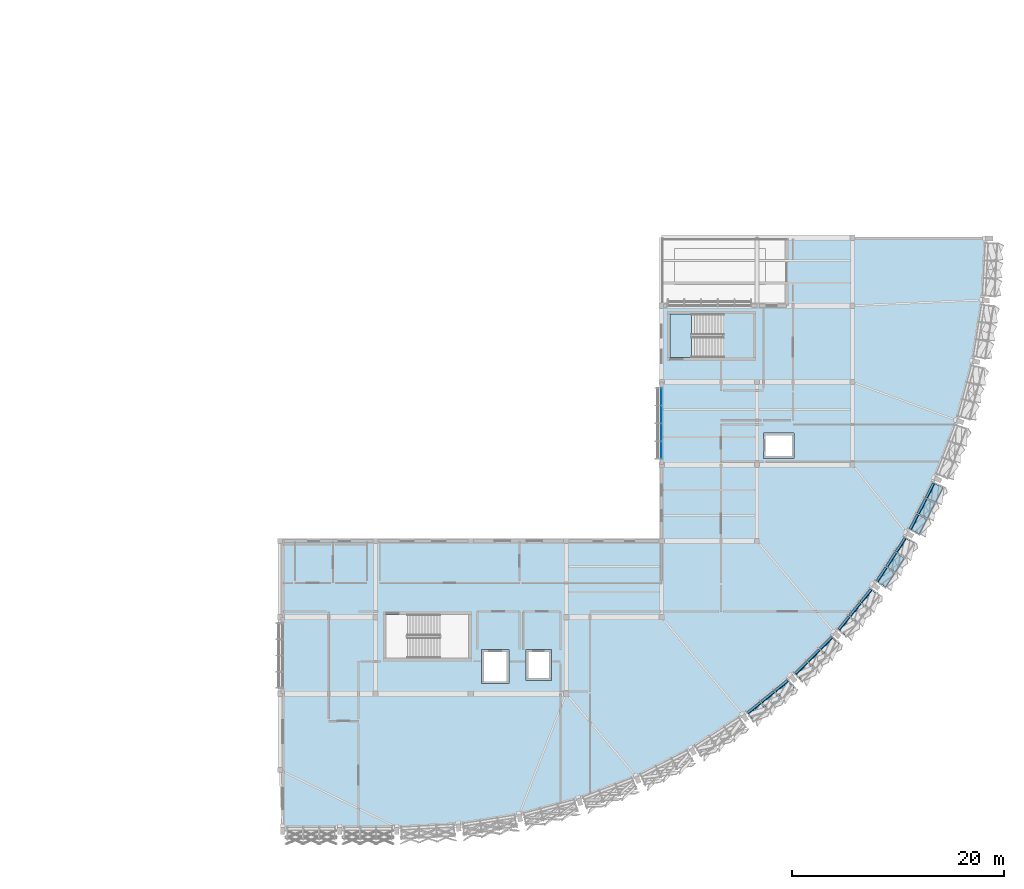
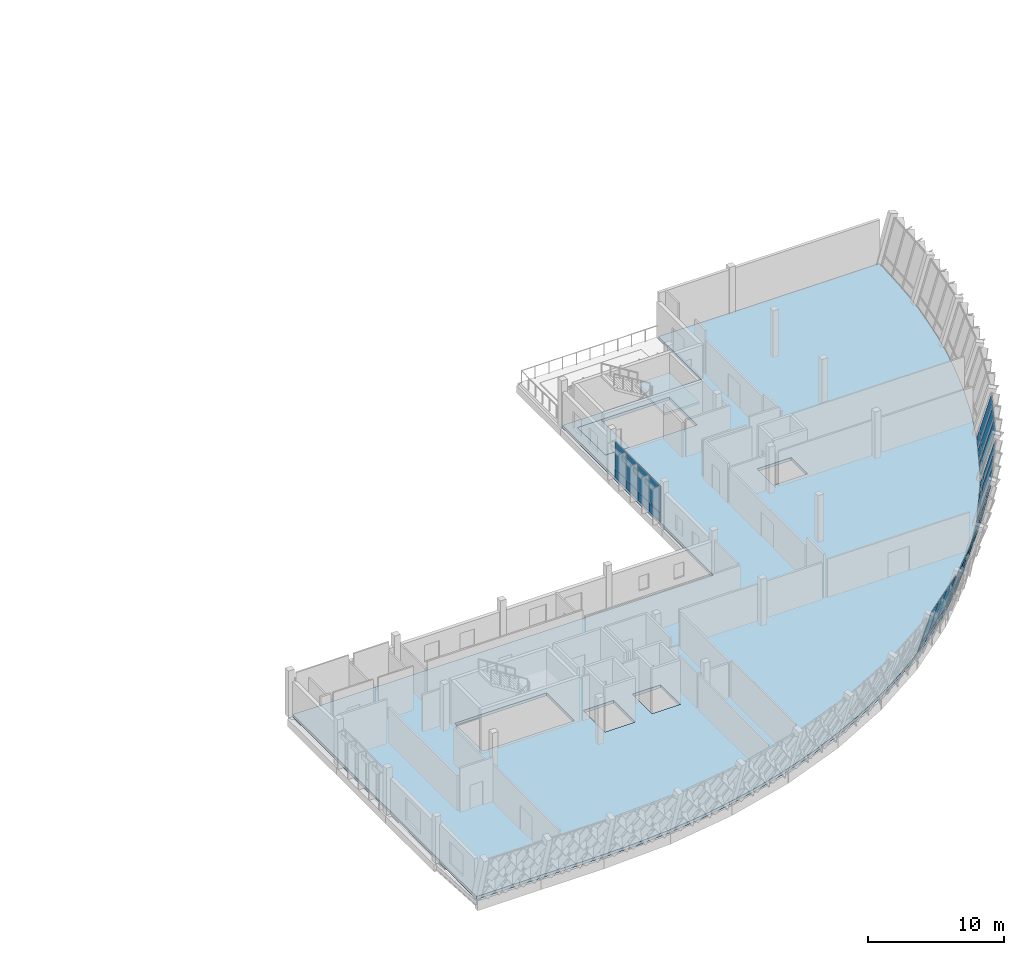
# One storey, part 17 of 24: 38 plates, 3 slabs, 7 elements without a shape of their own.
"""IFC4 building model written with IfcOpenShell, lengths in metres."""

from ifc_helpers import new_model, si_unit, direction, frame, origin, origin_2d, place, context, subcontext, project, spatial, polyline, rectangle, outline, extrude, material, layer, layer_set, type_object, element, aggregate, save


model = new_model("IFC4")

# Units and contexts
model_context = context("Model", 3, precision=1e-05, world=origin(), true_north=direction((0.0, 1.0)))
body_context = subcontext(model_context, "Body", "Model", "MODEL_VIEW")
ifc_project = project(units=[si_unit("LENGTHUNIT", "METRE"), si_unit("AREAUNIT", "SQUARE_METRE"), si_unit("VOLUMEUNIT", "CUBIC_METRE"), si_unit("PLANEANGLEUNIT", "RADIAN"), si_unit("MASSUNIT", "GRAM", prefix="KILO")], contexts=[model_context])

# Site, building, storey
site_placement = place(None, origin())
site = spatial("IfcSite", under=ifc_project, at=site_placement, CompositionType="ELEMENT")
building_placement = place(site_placement, origin())
building = spatial("IfcBuilding", under=site, at=building_placement, Name="Chiffa Square Polytechnic", CompositionType="ELEMENT")
storey_placement = place(building_placement, frame((0.0, 0.0, 22.199951171875)))
storey = spatial("IfcBuildingStorey", under=building, at=storey_placement, Name="L05", CompositionType="ELEMENT", Elevation=22.199951171875)

# Curtain wall, plates
ifc_material_1 = material(Name="Aluminium EN AW-6060 T66 and glulam shading", Category="wood")
curtain_wall_type_1 = type_object("IfcCurtainWallType", Name="CW-PROW-LEAN-150", PredefinedType="USERDEFINED", material=ifc_material_1)
curtain_wall_1_placement = place(storey_placement, origin())
curtain_wall_1 = element("IfcCurtainWall", 1, at=curtain_wall_1_placement, inside=storey, type_object=curtain_wall_type_1, Name="Outward-leaning diamond-fin prow curtain wall CW-V1-L05-090", ObjectType="CURTAIN WALL", PredefinedType="USERDEFINED")
ifc_material_2 = material(Name="Double glazing", Category="glass")
ifc_layer_1 = layer(ifc_material_2, 0.0439453125, Name="Double glazing")
ifc_layer_set_1 = layer_set([ifc_layer_1], Name="Double glazing")
plate_type_1 = type_object("IfcPlateType", Name="CWP-GLZ-134X118", PredefinedType="CURTAIN_PANEL", material=ifc_layer_set_1)
plate_1_placement = place(storey_placement, frame((171.75830078125, 29.879150390625, 0.8779296875), z_axis=(-0.85738475349, 0.437038867386, 0.271824231586), x_axis=(0.454140920779, 0.890929864797, 9.279456e-06)))
plate_1 = element("IfcPlate", 2, at=plate_1_placement, type_object=plate_type_1, Name="Leaning prow curtain panel CW-V1-L05-090-PN01", PredefinedType="CURTAIN_PANEL", context=body_context, shape_type="SweptSolid", body=[
    extrude(outline(polyline([(0.0, 0.0), (1.54116493639988, 0.0), (1.5250740638923213, -3.176728374213843), (-0.044260087340234296, -3.1767583672841164), (0.0, 0.0)])), origin(), (0.0, 0.0, -1.0), 0.0439453125),
])
plate_2_placement = place(storey_placement, frame((172.512451171875, 31.35888671875, 0.8779296875), z_axis=(-0.857424423618, 0.436983551285, 0.271788030806), x_axis=(0.45408321775, 0.890959275499, 2.7569264e-05)))
plate_2 = element("IfcPlate", 3, at=plate_2_placement, type_object=plate_type_1, Name="Leaning prow curtain panel CW-V1-L05-090-PN02", PredefinedType="CURTAIN_PANEL", context=body_context, shape_type="SweptSolid", body=[
    extrude(outline(polyline([(0.0, 0.0), (1.5411649293690792, 0.0), (1.5550984861303034, -3.1766647798448857), (-0.01412480492863167, -3.1767538851366517), (0.0, 0.0)])), origin(), (0.0, 0.0, -1.0), 0.0439453125),
])
plate_3_placement = place(storey_placement, frame((173.2666015625, 32.83837890625, 0.8779296875), z_axis=(-0.857444959863, 0.436955522622, 0.271768305833), x_axis=(0.454049075192, 0.890976675896, 1.8074196e-05)))
plate_3 = element("IfcPlate", 4, at=plate_3_placement, type_object=plate_type_1, Name="Leaning prow curtain panel CW-V1-L05-090-PN03", PredefinedType="CURTAIN_PANEL", context=body_context, shape_type="SweptSolid", body=[
    extrude(outline(polyline([(0.0, 0.0), (1.5413824464087487, -2.7755575615628914e-17), (1.5853891943181955, -3.176661165811146), (0.016165897378153136, -3.1767195862985944), (0.0, 0.0)])), origin(), (0.0, 0.0, -1.0), 0.0439453125),
])

curtain_wall_type_2 = type_object("IfcCurtainWallType", Name="CW-PROW-LEAN-300", PredefinedType="USERDEFINED", material=ifc_material_1)
curtain_wall_2_placement = place(storey_placement, origin())
curtain_wall_2 = element("IfcCurtainWall", 5, at=curtain_wall_2_placement, inside=storey, type_object=curtain_wall_type_2, Name="Outward-leaning diamond-fin prow curtain wall CW-V1-L05-089", ObjectType="CURTAIN WALL", PredefinedType="USERDEFINED")
ifc_layer_2 = layer(ifc_material_2, 0.0419921875, Name="Double glazing")
ifc_layer_set_2 = layer_set([ifc_layer_2], Name="Double glazing")
plate_type_2 = type_object("IfcPlateType", Name="CWP-GLZ-136X122", PredefinedType="CURTAIN_PANEL", material=ifc_layer_set_2)
plate_4_placement = place(storey_placement, frame((168.620849609375, 24.9541015625, 0.8779296875), z_axis=(-0.807032518171, 0.524121652258, 0.272020234998), x_axis=(0.544664050815, 0.838654321786, 1.732106e-05)))
plate_4 = element("IfcPlate", 6, at=plate_4_placement, type_object=plate_type_2, Name="Leaning prow curtain panel CW-V1-L05-089-PN01", PredefinedType="CURTAIN_PANEL", context=body_context, shape_type="SweptSolid", body=[
    extrude(outline(polyline([(0.0, 0.0), (1.5409063310335698, -5.551115123125783e-17), (1.5251601614954413, -3.176898464785878), (-0.04385130634568232, -3.1769544426995835), (0.0, 0.0)])), origin(), (0.0, 0.0, -1.0), 0.0419921875),
])
plate_5_placement = place(storey_placement, frame((169.525390625, 26.3466796875, 0.8779296875), z_axis=(-0.80703057154, 0.524146867832, 0.271977421013), x_axis=(0.54468485979, 0.83864080688, 2.3463503e-05)))
plate_5 = element("IfcPlate", 7, at=plate_5_placement, type_object=plate_type_2, Name="Leaning prow curtain panel CW-V1-L05-089-PN02", PredefinedType="CURTAIN_PANEL", context=body_context, shape_type="SweptSolid", body=[
    extrude(outline(polyline([(0.0, 0.0), (1.5412440587018212, -5.551115123125783e-17), (1.555403635941281, -3.1768480409788964), (-0.013607828499726643, -3.17692387722105), (0.0, 0.0)])), origin(), (0.0, 0.0, -1.0), 0.0419921875),
])
plate_6_placement = place(storey_placement, frame((170.429931640625, 27.7392578125, 0.8779296875), z_axis=(-0.807052431182, 0.524161065142, 0.271885180017), x_axis=(0.544684856018, 0.83864080933, 2.3456181e-05)))
plate_6 = element("IfcPlate", 8, at=plate_6_placement, type_object=plate_type_2, Name="Leaning prow curtain panel CW-V1-L05-089-PN03", PredefinedType="CURTAIN_PANEL", context=body_context, shape_type="SweptSolid", body=[
    extrude(outline(polyline([(0.0, 0.0), (1.5412440587015106, 2.7755575615628914e-17), (1.5854738842474674, -3.1767612724741983), (0.016462419805521725, -3.1768370829965313), (0.0, 0.0)])), origin(), (0.0, 0.0, -1.0), 0.0419921875),
])

curtain_wall_3_placement = place(storey_placement, origin())
curtain_wall_3 = element("IfcCurtainWall", 9, at=curtain_wall_3_placement, inside=storey, type_object=curtain_wall_type_1, Name="Outward-leaning diamond-fin prow curtain wall CW-V1-L05-088", ObjectType="CURTAIN WALL", PredefinedType="USERDEFINED")
ifc_layer_3 = layer(ifc_material_2, 0.0419921875, Name="Double glazing")
ifc_layer_set_3 = layer_set([ifc_layer_3], Name="Double glazing")
plate_type_3 = type_object("IfcPlateType", Name="CWP-GLZ-138X126", PredefinedType="CURTAIN_PANEL", material=ifc_layer_set_3)
plate_7_placement = place(storey_placement, frame((164.986328125, 20.38330078125, 0.8779296875), z_axis=(-0.747943423943, 0.605531974031, 0.271866995066), x_axis=(0.629225894826, 0.777222472964, -2.827892e-05)))
plate_7 = element("IfcPlate", 10, at=plate_7_placement, type_object=plate_type_3, Name="Leaning prow curtain panel CW-V1-L05-088-PN01", PredefinedType="CURTAIN_PANEL", context=body_context, shape_type="SweptSolid", body=[
    extrude(outline(polyline([(0.0, 0.0), (1.5409446974406347, 2.7755575615628914e-17), (1.5249494019111771, -3.1768277697548353), (-0.04390766563276697, -3.176736385933482), (0.0, 0.0)])), origin(), (0.0, 0.0, -1.0), 0.0419921875),
])
plate_8_placement = place(storey_placement, frame((166.031005859375, 21.674072265625, 0.8779296875), z_axis=(-0.747844166366, 0.605602695127, 0.271982496655), x_axis=(0.629320787003, 0.777145640316, -2.7997936e-05)))
plate_8 = element("IfcPlate", 11, at=plate_8_placement, type_object=plate_type_3, Name="Leaning prow curtain panel CW-V1-L05-088-PN02", PredefinedType="CURTAIN_PANEL", context=body_context, shape_type="SweptSolid", body=[
    extrude(outline(polyline([(0.0, 0.0), (1.5410983099037638, -2.7755575615628914e-17), (1.5553717417491508, -3.176935955309189), (-0.013638978750076905, -3.1768454674832087), (0.0, 0.0)])), origin(), (0.0, 0.0, -1.0), 0.0419921875),
])
plate_9_placement = place(storey_placement, frame((167.075927734375, 22.964599609375, 0.8779296875), z_axis=(-0.747900646184, 0.605526103863, 0.271997722377), x_axis=(0.629243957497, 0.777207849392, -2.8230071e-05)))
plate_9 = element("IfcPlate", 12, at=plate_9_placement, type_object=plate_type_3, Name="Leaning prow curtain panel CW-V1-L05-088-PN03", PredefinedType="CURTAIN_PANEL", context=body_context, shape_type="SweptSolid", body=[
    extrude(outline(polyline([(0.0, 0.0), (1.541288065465027, 0.0), (1.5856738348505635, -3.176951427037194), (0.016473391542816674, -3.1768601774224905), (0.0, 0.0)])), origin(), (0.0, 0.0, -1.0), 0.0419921875),
])

curtain_wall_4_placement = place(storey_placement, origin())
curtain_wall_4 = element("IfcCurtainWall", 13, at=curtain_wall_4_placement, inside=storey, type_object=curtain_wall_type_2, Name="Outward-leaning diamond-fin prow curtain wall CW-V1-L05-087", ObjectType="CURTAIN WALL", PredefinedType="USERDEFINED")
ifc_layer_4 = layer(ifc_material_2, 0.0400390625, Name="Double glazing")
ifc_layer_set_4 = layer_set([ifc_layer_4], Name="Double glazing")
plate_type_4 = type_object("IfcPlateType", Name="CWP-GLZ-140X130", PredefinedType="CURTAIN_PANEL", material=ifc_layer_set_4)
plate_10_placement = place(storey_placement, frame((160.893310546875, 16.218505859375, 0.8779296875), z_axis=(-0.680515046269, 0.680439509024, 0.271848020705), x_axis=(0.707064579868, 0.707148979832, -1.4785318e-05)))
plate_10 = element("IfcPlate", 14, at=plate_10_placement, type_object=plate_type_4, Name="Leaning prow curtain panel CW-V1-L05-087-PN01", PredefinedType="CURTAIN_PANEL", context=body_context, shape_type="SweptSolid", body=[
    extrude(outline(polyline([(0.0, 0.0), (1.5410991860158871, -2.7755575615628914e-17), (1.5246022591730624, -3.1767886862920465), (-0.04463617560150889, -3.176740899313076), (0.0, 0.0)])), origin(), (0.0, 0.0, -1.0), 0.0400390625),
])
plate_11_placement = place(storey_placement, frame((162.067626953125, 17.392822265625, 0.8779296875), z_axis=(-0.680482206266, 0.680482206266, 0.271823350562), x_axis=(0.707106781187, 0.707106781187, 0.0)))
plate_11 = element("IfcPlate", 15, at=plate_11_placement, type_object=plate_type_4, Name="Leaning prow curtain panel CW-V1-L05-087-PN02", PredefinedType="CURTAIN_PANEL", context=body_context, shape_type="SweptSolid", body=[
    extrude(outline(polyline([(0.0, 0.0), (1.5409265451345517, 0.0), (1.5550824914376027, -3.1767422581598828), (-0.014155946303051004, -3.1767422581598828), (0.0, 0.0)])), origin(), (0.0, 0.0, -1.0), 0.0400390625),
])
plate_12_placement = place(storey_placement, frame((163.24169921875, 18.56689453125, 0.8779296875), z_axis=(-0.680482206266, 0.680482206266, 0.271823350562), x_axis=(0.707106781187, 0.707106781187, 0.0)))
plate_12 = element("IfcPlate", 16, at=plate_12_placement, type_object=plate_type_4, Name="Leaning prow curtain panel CW-V1-L05-087-PN03", PredefinedType="CURTAIN_PANEL", context=body_context, shape_type="SweptSolid", body=[
    extrude(outline(polyline([(0.0, 0.0), (1.5409265451345517, 0.0), (1.585465985941712, -3.1767422581598828), (0.01657281518405973, -3.1767422581598828), (0.0, 0.0)])), origin(), (0.0, 0.0, -1.0), 0.0400390625),
])

curtain_wall_5_placement = place(storey_placement, origin())
curtain_wall_5 = element("IfcCurtainWall", 17, at=curtain_wall_5_placement, inside=storey, type_object=curtain_wall_type_1, Name="Outward-leaning diamond-fin prow curtain wall CW-V1-L05-086", ObjectType="CURTAIN WALL", PredefinedType="USERDEFINED")
ifc_layer_5 = layer(ifc_material_2, 0.0400390625, Name="Double glazing")
ifc_layer_set_5 = layer_set([ifc_layer_5], Name="Double glazing")
plate_type_5 = type_object("IfcPlateType", Name="CWP-GLZ-144X134", PredefinedType="CURTAIN_PANEL", material=ifc_layer_set_5)
plate_13_placement = place(storey_placement, frame((156.387451171875, 12.50439453125, 0.8779296875), z_axis=(-0.605508497967, 0.747896661473, 0.272047868303), x_axis=(0.777209976942, 0.629241330287, -8.98518e-07)))
plate_13 = element("IfcPlate", 18, at=plate_13_placement, type_object=plate_type_5, Name="Leaning prow curtain panel CW-V1-L05-086-PN01", PredefinedType="CURTAIN_PANEL", context=body_context, shape_type="SweptSolid", body=[
    extrude(outline(polyline([(0.0, 0.0), (1.5410983180606268, 0.0), (1.5245749225008998, -3.176953130632398), (-0.04447189744656339, -3.1769502265818805), (0.0, 0.0)])), origin(), (0.0, 0.0, -1.0), 0.0400390625),
])
plate_14_placement = place(storey_placement, frame((157.67822265625, 13.54931640625, 0.8779296875), z_axis=(-0.605529023115, 0.747922013206, 0.271932462807), x_axis=(0.777215706334, 0.62923425276, 3.132507e-05)))
plate_14 = element("IfcPlate", 19, at=plate_14_placement, type_object=plate_type_5, Name="Leaning prow curtain panel CW-V1-L05-086-PN02", PredefinedType="CURTAIN_PANEL", context=body_context, shape_type="SweptSolid", body=[
    extrude(outline(polyline([(0.0, 0.0), (1.5409446955529074, 2.7755575615628914e-17), (1.554843656469207, -3.176793409231511), (-0.01435678433955231, -3.1768946498631454), (0.0, 0.0)])), origin(), (0.0, 0.0, -1.0), 0.0400390625),
])
plate_15_placement = place(storey_placement, frame((158.968994140625, 14.593994140625, 0.8779296875), z_axis=(-0.605655935388, 0.747834365025, 0.271890879614), x_axis=(0.777112205032, 0.629362074303, 1.4830334e-05)))
plate_15 = element("IfcPlate", 20, at=plate_15_placement, type_object=plate_type_5, Name="Leaning prow curtain panel CW-V1-L05-086-PN03", PredefinedType="CURTAIN_PANEL", context=body_context, shape_type="SweptSolid", body=[
    extrude(outline(polyline([(0.0, 0.0), (1.5409085753934444, 5.551115123125783e-17), (1.5848135447999199, -3.176780809353704), (0.015802816654538743, -3.1768287359845866), (0.0, 0.0)])), origin(), (0.0, 0.0, -1.0), 0.0400390625),
])

curtain_wall_type_3 = type_object("IfcCurtainWallType", Name="CW-VERT-600X380", PredefinedType="USERDEFINED", material=ifc_material_1)
curtain_wall_6_placement = place(storey_placement, origin())
curtain_wall_6 = element("IfcCurtainWall", 21, at=curtain_wall_6_placement, inside=storey, type_object=curtain_wall_type_3, Name="Curtain wall CW-V1-L05-140", ObjectType="CURTAIN WALL", PredefinedType="USERDEFINED")
ifc_layer_6 = layer(ifc_material_2, 0.0380859375, Name="Double glazing")
ifc_layer_set_6 = layer_set([ifc_layer_6], Name="Double glazing")
plate_type_6 = type_object("IfcPlateType", Name="CWP-GLZ-148X142", PredefinedType="CURTAIN_PANEL", material=ifc_layer_set_6)
plate_16_placement = place(storey_placement, frame((148.199951171875, 42.408935546875, 0.83935546875), z_axis=(0.0, 0.0, 1.0), x_axis=(0.0, -1.0, 0.0)))
plate_16 = element("IfcPlate", 22, at=plate_16_placement, type_object=plate_type_6, Name="Glazed curtain panel CW-V1-L05-140-PN01", PredefinedType="CURTAIN_PANEL", context=body_context, shape_type="SweptSolid", body=[
    extrude(rectangle(XDim=1.60595703125, YDim=0.0380859375, at=origin_2d()), origin(), (0.0, 0.0, 1.0), 2.425048828125),
])
plate_17_placement = place(storey_placement, frame((148.199951171875, 40.739990234375, 0.83935546875), z_axis=(0.0, 0.0, 1.0), x_axis=(0.0, -1.0, 0.0)))
plate_17 = element("IfcPlate", 23, at=plate_17_placement, type_object=plate_type_6, Name="Glazed curtain panel CW-V1-L05-140-PN02", PredefinedType="CURTAIN_PANEL", context=body_context, shape_type="SweptSolid", body=[
    extrude(rectangle(XDim=1.6279296875, YDim=0.0380859375, at=origin_2d()), origin(), (0.0, 0.0, 1.0), 2.425048828125),
])
plate_18_placement = place(storey_placement, frame((148.199951171875, 39.06005859375, 0.83935546875), z_axis=(0.0, 0.0, 1.0), x_axis=(0.0, -1.0, 0.0)))
plate_18 = element("IfcPlate", 24, at=plate_18_placement, type_object=plate_type_6, Name="Glazed curtain panel CW-V1-L05-140-PN03", PredefinedType="CURTAIN_PANEL", context=body_context, shape_type="SweptSolid", body=[
    extrude(rectangle(XDim=1.6279296875, YDim=0.0380859375, at=origin_2d()), origin(), (0.0, 0.0, 1.0), 2.425048828125),
])
plate_19_placement = place(storey_placement, frame((148.199951171875, 37.39111328125, 0.83935546875), z_axis=(0.0, 0.0, 1.0), x_axis=(0.0, -1.0, 0.0)))
plate_19 = element("IfcPlate", 25, at=plate_19_placement, type_object=plate_type_6, Name="Glazed curtain panel CW-V1-L05-140-PN04", PredefinedType="CURTAIN_PANEL", context=body_context, shape_type="SweptSolid", body=[
    extrude(rectangle(XDim=1.60595703125, YDim=0.0380859375, at=origin_2d()), origin(), (0.0, 0.0, 1.0), 2.425048828125),
])
ifc_material_3 = material(Name="Aluminium insulated spandrel", Category="aluminium")
ifc_layer_7 = layer(ifc_material_3, 0.070068359375, Name="Aluminium insulated spandrel")
ifc_layer_set_7 = layer_set([ifc_layer_7], Name="Aluminium insulated spandrel")
plate_type_7 = type_object("IfcPlateType", Name="CWP-SPN-138X074", PredefinedType="SHEET", material=ifc_layer_set_7)
plate_20_placement = place(storey_placement, frame((148.199951171875, 42.408935546875, 0.050048828125), z_axis=(0.0, 0.0, 1.0), x_axis=(0.0, -1.0, 0.0)))
plate_20 = element("IfcPlate", 26, at=plate_20_placement, type_object=plate_type_7, Name="Spandrel panel CW-V1-L05-140-SP01", PredefinedType="SHEET", context=body_context, shape_type="SweptSolid", body=[
    extrude(rectangle(XDim=1.60595703125, YDim=0.070068359375, at=origin_2d()), origin(), (0.0, 0.0, 1.0), 0.75),
])
plate_21_placement = place(storey_placement, frame((148.199951171875, 40.739990234375, 0.050048828125), z_axis=(0.0, 0.0, 1.0), x_axis=(0.0, -1.0, 0.0)))
plate_21 = element("IfcPlate", 27, at=plate_21_placement, type_object=plate_type_7, Name="Spandrel panel CW-V1-L05-140-SP02", PredefinedType="SHEET", context=body_context, shape_type="SweptSolid", body=[
    extrude(rectangle(XDim=1.6279296875, YDim=0.070068359375, at=origin_2d()), origin(), (0.0, 0.0, 1.0), 0.75),
])
plate_22_placement = place(storey_placement, frame((148.199951171875, 39.06005859375, 0.050048828125), z_axis=(0.0, 0.0, 1.0), x_axis=(0.0, -1.0, 0.0)))
plate_22 = element("IfcPlate", 28, at=plate_22_placement, type_object=plate_type_7, Name="Spandrel panel CW-V1-L05-140-SP03", PredefinedType="SHEET", context=body_context, shape_type="SweptSolid", body=[
    extrude(rectangle(XDim=1.6279296875, YDim=0.070068359375, at=origin_2d()), origin(), (0.0, 0.0, 1.0), 0.75),
])
plate_23_placement = place(storey_placement, frame((148.199951171875, 37.39111328125, 0.050048828125), z_axis=(0.0, 0.0, 1.0), x_axis=(0.0, -1.0, 0.0)))
plate_23 = element("IfcPlate", 29, at=plate_23_placement, type_object=plate_type_7, Name="Spandrel panel CW-V1-L05-140-SP04", PredefinedType="SHEET", context=body_context, shape_type="SweptSolid", body=[
    extrude(rectangle(XDim=1.60595703125, YDim=0.070068359375, at=origin_2d()), origin(), (0.0, 0.0, 1.0), 0.75),
])
aggregate(curtain_wall_6, [plate_20, plate_16, plate_21, plate_17, plate_22, plate_18, plate_23, plate_19])

# Plate
ifc_layer_8 = layer(ifc_material_3, 0.06591796875, Name="Aluminium insulated spandrel")
ifc_layer_set_8 = layer_set([ifc_layer_8], Name="Aluminium insulated spandrel")
plate_type_8 = type_object("IfcPlateType", Name="CWP-SPN-144X078", PredefinedType="SHEET", material=ifc_layer_set_8)
plate_24_placement = place(storey_placement, frame((171.555419921875, 29.995849609375, 0.050048828125), z_axis=(-0.857470920282, 0.436989190925, 0.271632229099), x_axis=(0.454057891306, 0.890972183151, -1.3899425e-05)))
plate_24 = element("IfcPlate", 30, at=plate_24_placement, type_object=plate_type_8, Name="Leaning prow curtain panel CW-V1-L05-090-SP01", PredefinedType="SHEET", context=body_context, shape_type="SweptSolid", body=[
    extrude(outline(polyline([(0.0, 0.0), (1.5336290075935166, -2.7755575615628914e-17), (1.529611759410544, -0.8021540023212823), (-0.011224789013104487, -0.8021095995214377), (0.0, 0.0)])), origin(), (0.0, 0.0, -1.0), 0.06591796875),
])

plate_25_placement = place(storey_placement, frame((172.305908203125, 31.468505859375, 0.050048828125), z_axis=(-0.8573929065, 0.43698838037, 0.271879677993), x_axis=(0.454092398188, 0.890954596985, -4.432907e-06)))
plate_25 = element("IfcPlate", 31, at=plate_25_placement, type_object=plate_type_8, Name="Leaning prow curtain panel CW-V1-L05-090-SP02", PredefinedType="SHEET", context=body_context, shape_type="SweptSolid", body=[
    extrude(outline(polyline([(0.0, 0.0), (1.53341148543914, -2.7755575615628914e-17), (1.537163432918352, -0.8021972349680884), (-0.003673117875578145, -0.8021830736741447), (0.0, 0.0)])), origin(), (0.0, 0.0, -1.0), 0.06591796875),
])

plate_26_placement = place(storey_placement, frame((173.056396484375, 32.94091796875, 0.050048828125), z_axis=(-0.857410847434, 0.437073949236, 0.27168548287), x_axis=(0.45416011078, 0.890920082598, 1.4157914e-05)))
plate_26 = element("IfcPlate", 32, at=plate_26_placement, type_object=plate_type_8, Name="Leaning prow curtain panel CW-V1-L05-090-SP03", PredefinedType="SHEET", context=body_context, shape_type="SweptSolid", body=[
    extrude(outline(polyline([(0.0, 0.0), (1.533522357976548, 0.0), (1.5448369350407125, -0.8021217135341823), (0.0040003867149757694, -0.8021669412338326), (0.0, 0.0)])), origin(), (0.0, 0.0, -1.0), 0.06591796875),
])

aggregate(curtain_wall_1, [plate_24, plate_1, plate_25, plate_2, plate_26, plate_3])

ifc_layer_9 = layer(ifc_material_3, 0.06396484375, Name="Aluminium insulated spandrel")
ifc_layer_set_9 = layer_set([ifc_layer_9], Name="Aluminium insulated spandrel")
plate_type_9 = type_object("IfcPlateType", Name="CWP-SPN-146X082", PredefinedType="SHEET", material=ifc_layer_set_9)
plate_27_placement = place(storey_placement, frame((168.430908203125, 25.091552734375, 0.050048828125), z_axis=(-0.80700414696, 0.524220233355, 0.271914423543), x_axis=(0.544750591221, 0.83859811167, 2.165528e-05)))
plate_27 = element("IfcPlate", 33, at=plate_27_placement, type_object=plate_type_9, Name="Leaning prow curtain panel CW-V1-L05-089-SP01", PredefinedType="SHEET", context=body_context, shape_type="SweptSolid", body=[
    extrude(outline(polyline([(0.0, 0.0), (1.5334552679005837, -2.7755575615628914e-17), (1.5295209064907203, -0.8021639187575339), (-0.011047694334680162, -0.8022330940315692), (0.0, 0.0)])), origin(), (0.0, 0.0, -1.0), 0.06396484375),
])

plate_28_placement = place(storey_placement, frame((169.3310546875, 26.477294921875, 0.050048828125), z_axis=(-0.806935026538, 0.524251755095, 0.272058744072), x_axis=(0.544802312004, 0.838564512019, 4.230369e-06)))
plate_28 = element("IfcPlate", 34, at=plate_28_placement, type_object=plate_type_9, Name="Leaning prow curtain panel CW-V1-L05-089-SP02", PredefinedType="SHEET", context=body_context, shape_type="SweptSolid", body=[
    extrude(outline(polyline([(0.0, 0.0), (1.5334552725782, 2.7755575615628914e-17), (1.5372379752709593, -0.8022255847825759), (-0.003463622940182996, -0.8022390993619596), (0.0, 0.0)])), origin(), (0.0, 0.0, -1.0), 0.06396484375),
])

plate_29_placement = place(storey_placement, frame((170.2314453125, 27.863037109375, 0.050048828125), z_axis=(-0.806980559771, 0.524330994509, 0.271770830569), x_axis=(0.544835913709, 0.838542680537, -7.090518e-06)))
plate_29 = element("IfcPlate", 35, at=plate_29_placement, type_object=plate_type_9, Name="Leaning prow curtain panel CW-V1-L05-089-SP03", PredefinedType="SHEET", context=body_context, shape_type="SweptSolid", body=[
    extrude(outline(polyline([(0.0, 0.0), (1.5334552722416788, -2.7755575615628914e-17), (1.5446890261752242, -0.8021759071226633), (0.004192152626846603, -0.8021532587702718), (0.0, 0.0)])), origin(), (0.0, 0.0, -1.0), 0.06396484375),
])

aggregate(curtain_wall_2, [plate_27, plate_4, plate_28, plate_5, plate_29, plate_6])

ifc_layer_10 = layer(ifc_material_3, 0.06201171875, Name="Aluminium insulated spandrel")
ifc_layer_set_10 = layer_set([ifc_layer_10], Name="Aluminium insulated spandrel")
plate_type_10 = type_object("IfcPlateType", Name="CWP-SPN-148X084", PredefinedType="SHEET", material=ifc_layer_set_10)
plate_30_placement = place(storey_placement, frame((164.81201171875, 20.539794921875, 0.050048828125), z_axis=(-0.747990337601, 0.605377691237, 0.272081432309), x_axis=(0.629110031463, 0.777316260137, -6.241147e-06)))
plate_30 = element("IfcPlate", 36, at=plate_30_placement, type_object=plate_type_10, Name="Leaning prow curtain panel CW-V1-L05-088-SP01", PredefinedType="SHEET", context=body_context, shape_type="SweptSolid", body=[
    extrude(outline(polyline([(0.0, 0.0), (1.5333182901123257, 2.7755575615628914e-17), (1.52940319916207, -0.80224761012237), (-0.011198138943651894, -0.8022276732032232), (0.0, 0.0)])), origin(), (0.0, 0.0, -1.0), 0.06201171875),
])

plate_31_placement = place(storey_placement, frame((165.8515625, 21.82421875, 0.050048828125), z_axis=(-0.7479493117, 0.605420910115, 0.272098049833), x_axis=(0.629161586038, 0.777274532295, 9.998139e-06)))
plate_31 = element("IfcPlate", 37, at=plate_31_placement, type_object=plate_type_10, Name="Leaning prow curtain panel CW-V1-L05-088-SP02", PredefinedType="SHEET", context=body_context, shape_type="SweptSolid", body=[
    extrude(outline(polyline([(0.0, 0.0), (1.5334718883509906, 0.0), (1.5370566303901376, -0.8022256377296104), (-0.003544706884550911, -0.80225757785798), (0.0, 0.0)])), origin(), (0.0, 0.0, -1.0), 0.06201171875),
])

plate_32_placement = place(storey_placement, frame((166.89111328125, 23.1083984375, 0.050048828125), z_axis=(-0.747949995865, 0.605483329986, 0.271957240748), x_axis=(0.629197551192, 0.777245419134, -3.08424e-06)))
plate_32 = element("IfcPlate", 38, at=plate_32_placement, type_object=plate_type_10, Name="Leaning prow curtain panel CW-V1-L05-088-SP03", PredefinedType="SHEET", context=body_context, shape_type="SweptSolid", body=[
    extrude(outline(polyline([(0.0, 0.0), (1.5334718892875978, 0.0), (1.5448728131724863, -0.8022133753606131), (0.004461237570825825, -0.8022035234418183), (0.0, 0.0)])), origin(), (0.0, 0.0, -1.0), 0.06201171875),
])

aggregate(curtain_wall_3, [plate_30, plate_7, plate_31, plate_8, plate_32, plate_9])

ifc_layer_11 = layer(ifc_material_3, 0.06005859375, Name="Aluminium insulated spandrel")
ifc_layer_set_11 = layer_set([ifc_layer_11], Name="Aluminium insulated spandrel")
plate_type_11 = type_object("IfcPlateType", Name="CWP-SPN-150X080", PredefinedType="SHEET", material=ifc_layer_set_11)
plate_33_placement = place(storey_placement, frame((160.736572265625, 16.392578125, 0.050048828125), z_axis=(-0.68048550594, 0.68048550594, 0.271806829223), x_axis=(0.707106781187, 0.707106781187, 0.0)))
plate_33 = element("IfcPlate", 39, at=plate_33_placement, type_object=plate_type_11, Name="Leaning prow curtain panel CW-V1-L05-087-SP01", PredefinedType="SHEET", context=body_context, shape_type="SweptSolid", body=[
    extrude(outline(polyline([(0.0, 0.0), (1.5333306715085242, 0.0), (1.5290148342210088, -0.8021730005419891), (-0.011221176947540434, -0.8021730005419891), (0.0, 0.0)])), origin(), (0.0, 0.0, -1.0), 0.06005859375),
])

plate_34_placement = place(storey_placement, frame((161.90478515625, 17.560791015625, 0.050048828125), z_axis=(-0.68048550594, 0.68048550594, 0.271806829223), x_axis=(0.707106781187, 0.707106781187, 0.0)))
plate_34 = element("IfcPlate", 40, at=plate_34_placement, type_object=plate_type_11, Name="Leaning prow curtain panel CW-V1-L05-087-SP02", PredefinedType="SHEET", context=body_context, shape_type="SweptSolid", body=[
    extrude(outline(polyline([(0.0, 0.0), (1.5333306715085242, 0.0), (1.5369559748300374, -0.8021730005419891), (-0.003280036338511816, -0.8021730005419891), (0.0, 0.0)])), origin(), (0.0, 0.0, -1.0), 0.06005859375),
])

plate_35_placement = place(storey_placement, frame((163.0732421875, 18.729248046875, 0.050048828125), z_axis=(-0.68048550594, 0.68048550594, 0.271806829223), x_axis=(0.707106781187, 0.707106781187, 0.0)))
plate_35 = element("IfcPlate", 41, at=plate_35_placement, type_object=plate_type_11, Name="Leaning prow curtain panel CW-V1-L05-087-SP03", PredefinedType="SHEET", context=body_context, shape_type="SweptSolid", body=[
    extrude(outline(polyline([(0.0, 0.0), (1.5333306715085242, 0.0), (1.5445518484560647, -0.8021730005419894), (0.003970570304514309, -0.8021730005419894), (0.0, 0.0)])), origin(), (0.0, 0.0, -1.0), 0.06005859375),
])

aggregate(curtain_wall_4, [plate_33, plate_10, plate_34, plate_11, plate_35, plate_12])

ifc_layer_12 = layer(ifc_material_3, 0.06005859375, Name="Aluminium insulated spandrel")
ifc_layer_set_12 = layer_set([ifc_layer_12], Name="Aluminium insulated spandrel")
plate_type_12 = type_object("IfcPlateType", Name="CWP-SPN-150X095", PredefinedType="SHEET", material=ifc_layer_set_12)
plate_36_placement = place(storey_placement, frame((156.24951171875, 12.694091796875, 0.050048828125), z_axis=(-0.605451789958, 0.747911034654, 0.272134551795), x_axis=(0.777251185988, 0.629190426358, 3.5493588e-05)))
plate_36 = element("IfcPlate", 42, at=plate_36_placement, type_object=plate_type_12, Name="Leaning prow curtain panel CW-V1-L05-086-SP01", PredefinedType="SHEET", context=body_context, shape_type="SweptSolid", body=[
    extrude(outline(polyline([(0.0, 0.0), (1.5333182774740068, 2.7755575615628914e-17), (1.529227428170132, -0.8021938076704935), (-0.011337757169815589, -0.8023071899620016), (0.0, 0.0)])), origin(), (0.0, 0.0, -1.0), 0.06005859375),
])

plate_37_placement = place(storey_placement, frame((157.533935546875, 13.733642578125, 0.050048828125), z_axis=(-0.6054740553, 0.7479385389, 0.272009393932), x_axis=(0.777245419344, 0.629197550932, 3.084784e-06)))
plate_37 = element("IfcPlate", 43, at=plate_37_placement, type_object=plate_type_12, Name="Leaning prow curtain panel CW-V1-L05-086-SP02", PredefinedType="SHEET", context=body_context, shape_type="SweptSolid", body=[
    extrude(outline(polyline([(0.0, 0.0), (1.533471889287601, 0.0), (1.5368268354379142, -0.8022157857202464), (-0.0035847401637370963, -0.8022256395283416), (0.0, 0.0)])), origin(), (0.0, 0.0, -1.0), 0.06005859375),
])

plate_38_placement = place(storey_placement, frame((158.818359375, 14.773193359375, 0.050048828125), z_axis=(-0.605496312035, 0.747966032514, 0.271884222264), x_axis=(0.777245418839, 0.629197551556, 3.083478e-06)))
plate_38 = element("IfcPlate", 44, at=plate_38_placement, type_object=plate_type_12, Name="Leaning prow curtain panel CW-V1-L05-086-SP03", PredefinedType="SHEET", context=body_context, shape_type="SweptSolid", body=[
    extrude(outline(polyline([(0.0, 0.0), (1.5334718892875938, -2.7755575615628914e-17), (1.5444532603002141, -0.8021862756515168), (0.004041684698541057, -0.8021961249251451), (0.0, 0.0)])), origin(), (0.0, 0.0, -1.0), 0.06005859375),
])

aggregate(curtain_wall_5, [plate_36, plate_13, plate_37, plate_14, plate_38, plate_15])

# Slabs
ifc_material_4 = material(Name="Concrete C35/45", Category="concrete")
ifc_layer_13 = layer(ifc_material_4, 0.260009765625, Name="Concrete C35/45")
ifc_layer_set_13 = layer_set([ifc_layer_13], Name="Concrete C35/45")
slab_type_1 = type_object("IfcSlabType", Name="SLB-FLR-260", PredefinedType="FLOOR", material=ifc_layer_set_13)
slab_1_placement = place(storey_placement, frame((0.0, 0.0, -0.260009765625)))
element("IfcSlab", 45, at=slab_1_placement, inside=storey, type_object=slab_type_1, Name="V1 L05 structural slab SLB-V1-L05-007", PredefinedType="FLOOR", context=body_context, shape_type="SweptSolid", body=[
    extrude(outline(polyline([(112.449951171875, 28.800048828125), (148.199951171875, 28.800048828125), (148.199951171875, 51.0), (160.0, 51.0), (160.0, 57.35009765625), (178.764892578125, 57.35009765625), (178.68896484375, 54.44189453125), (178.4609375, 51.5419921875), (178.0810546875, 48.657958984375), (177.551025390625, 45.797119140625), (176.8720703125, 42.968994140625), (176.0458984375, 40.178955078125), (175.074951171875, 37.43701171875), (173.9619140625, 34.7490234375), (172.708984375, 32.1240234375), (171.321044921875, 29.56689453125), (169.801025390625, 27.0869140625), (168.153076171875, 24.68896484375), (166.382080078125, 22.382080078125), (164.492919921875, 20.1689453125), (162.490966796875, 18.05908203125), (160.381103515625, 16.056884765625), (158.16796875, 14.16796875), (155.861083984375, 12.39697265625), (153.462890625, 10.7490234375), (150.98291015625, 9.22900390625), (148.426025390625, 7.841064453125), (145.801025390625, 6.587890625), (143.113037109375, 5.47509765625), (140.37109375, 4.50390625), (137.5810546875, 3.677978515625), (134.7529296875, 2.9990234375), (131.89208984375, 2.468994140625), (129.008056640625, 2.089111328125), (126.10791015625, 1.861083984375), (123.199951171875, 1.784912109375), (120.512939453125, 1.784912109375), (117.824951171875, 1.784912109375), (115.137939453125, 1.784912109375), (112.449951171875, 1.784912109375), (112.449951171875, 28.800048828125)]), holes=[polyline([(122.199951171875, 21.85009765625), (130.0, 21.85009765625), (130.0, 17.75), (122.199951171875, 17.75), (122.199951171875, 21.85009765625)]), polyline([(149.0, 50.199951171875), (156.800048828125, 50.199951171875), (156.800048828125, 46.10009765625), (149.0, 46.10009765625), (149.0, 50.199951171875)]), polyline([(131.199951171875, 18.550048828125), (133.800048828125, 18.550048828125), (133.800048828125, 15.35009765625), (131.199951171875, 15.35009765625), (131.199951171875, 18.550048828125)]), polyline([(135.39990234375, 18.550048828125), (137.800048828125, 18.550048828125), (137.800048828125, 15.64990234375), (135.39990234375, 15.64990234375), (135.39990234375, 18.550048828125)]), polyline([(157.800048828125, 39.0), (160.699951171875, 39.0), (160.699951171875, 36.60009765625), (157.800048828125, 36.60009765625), (157.800048828125, 39.0)])]), origin(), (0.0, 0.0, 1.0), 0.260009765625),
])
ifc_material_5 = material(Name="Concrete C40/50", Category="concrete")
ifc_layer_14 = layer(ifc_material_5, 0.35009765625, Name="Concrete C40/50")
ifc_layer_set_14 = layer_set([ifc_layer_14], Name="Concrete C40/50")
slab_type_2 = type_object("IfcSlabType", Name="SLB-FLR-350", PredefinedType="FLOOR", material=ifc_layer_set_14)
slab_2_placement = place(storey_placement, frame((0.0, 0.0, -0.349853515625)))
element("IfcSlab", 46, at=slab_2_placement, inside=storey, type_object=slab_type_2, Name="Stair core floor landing slab SLB-CORE-CORE-V1B-L05", PredefinedType="FLOOR", context=body_context, shape_type="SweptSolid", body=[
    extrude(outline(polyline([(149.0, 46.10009765625), (151.011962890625, 46.10009765625), (151.011962890625, 50.199951171875), (149.0, 50.199951171875), (149.0, 46.10009765625)])), origin(), (0.0, 0.0, 1.0), 0.349853515625),
])

# Stair, slab
stair_type = type_object("IfcStairType", Name="STAIR-DOG-1950", PredefinedType="HALF_TURN_STAIR", material=ifc_material_4)
stair_placement = place(storey_placement, origin())
stair = element("IfcStair", 47, at=stair_placement, inside=storey, type_object=stair_type, Name="L05 Enclosed exit stair ST-V1B", PredefinedType="HALF_TURN_STAIR")
ifc_layer_15 = layer(ifc_material_4, 0.199951171875, Name="Concrete C35/45")
ifc_layer_set_15 = layer_set([ifc_layer_15], Name="Concrete C35/45")
slab_type_3 = type_object("IfcSlabType", Name="SLB-LND-200", PredefinedType="LANDING", material=ifc_layer_set_15)
slab_3_placement = place(storey_placement, frame((0.0, 0.0, 1.900146484375)))
slab_3 = element("IfcSlab", 48, at=slab_3_placement, type_object=slab_type_3, Name="ST-V1B landing 1", PredefinedType="LANDING", context=body_context, shape_type="SweptSolid", body=[
    extrude(outline(polyline([(153.9599609375, 45.97998046875), (153.9599609375, 50.320068359375), (156.919921875, 50.320068359375), (156.919921875, 45.97998046875), (153.9599609375, 45.97998046875)])), origin(), (0.0, 0.0, 1.0), 0.199951171875),
])
aggregate(stair, [slab_3])

save(model, "model.ifc")
